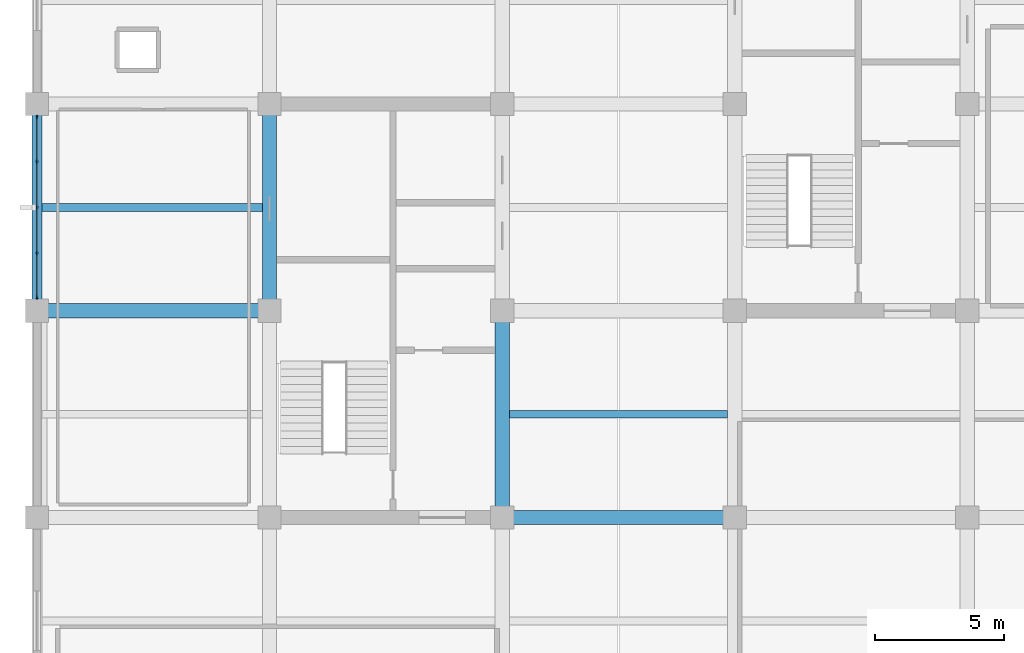
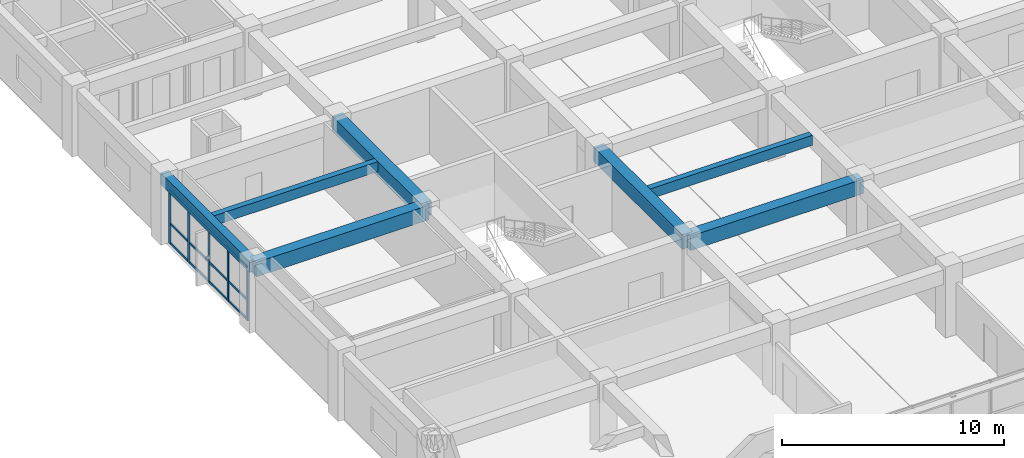
# One storey, part 4 of 16: 8 members, 7 beams, 1 element without a shape of its own.
"""IFC4 building model written with IfcOpenShell, lengths in metres."""

from ifc_helpers import new_model, si_unit, direction, frame, origin, origin_2d, place, context, subcontext, project, spatial, rectangle, extrude, material, material_profile, profile_set, type_object, element, aggregate, save


model = new_model("IFC4")

# Units and contexts
model_context = context("Model", 3, precision=1e-05, world=origin(), true_north=direction((0.0, 1.0)))
body_context = subcontext(model_context, "Body", "Model", "MODEL_VIEW")
ifc_project = project(units=[si_unit("LENGTHUNIT", "METRE"), si_unit("AREAUNIT", "SQUARE_METRE"), si_unit("VOLUMEUNIT", "CUBIC_METRE"), si_unit("PLANEANGLEUNIT", "RADIAN"), si_unit("MASSUNIT", "GRAM", prefix="KILO")], contexts=[model_context])

# Site, building, storey
site_placement = place(None, origin())
site = spatial("IfcSite", under=ifc_project, at=site_placement, CompositionType="ELEMENT")
building_placement = place(site_placement, origin())
building = spatial("IfcBuilding", under=site, at=building_placement, Name="Zaverband Oceanarium and Marine Research Institute", CompositionType="ELEMENT")
storey_placement = place(building_placement, frame((0.0, 0.0, 29.699951171875)))
storey = spatial("IfcBuildingStorey", under=building, at=storey_placement, Name="L07", CompositionType="ELEMENT", Elevation=29.699951171875)

# Beams
ifc_material_1 = material(Name="Concrete C40/50", Category="concrete")
ifc_material_profile_1 = material_profile(ifc_material_1, rectangle(XDim=0.550048828125, YDim=0.800048828125, at=origin_2d()), Name="RC550x800")
ifc_profile_set_1 = profile_set([ifc_material_profile_1], Name="Concrete C40/50")
beam_type_1 = type_object("IfcBeamType", Name="BM-550x800", PredefinedType="BEAM", material=ifc_profile_set_1)
for number, where, z_axis, x_axis, name in (
    (1, (27.0, 80.0, 3.25), (1.0, 0.0, 0.0), (0.0, 1.0, 0.0), "Primary floor girder BM-550x800"),
    (2, (9.0, 88.0, 3.25), (1.0, 0.0, 0.0), (0.0, 1.0, 0.0), "Primary floor girder BM-550x800"),
):
    element("IfcBeam", number, at=place(storey_placement, frame(where, z_axis=z_axis, x_axis=x_axis)), inside=storey, type_object=beam_type_1, Name=name, PredefinedType="BEAM", context=body_context, shape_type="SweptSolid", body=[
        extrude(rectangle(XDim=0.550048828125, YDim=0.800048828125, at=origin_2d()), origin(), (0.0, 0.0, 1.0), 9.0),
    ])
for number, where, z_axis, x_axis, name in (
    (3, (18.0, 88.0, 3.25), (0.0, 1.0, 0.0), (-1.0, 0.0, 0.0), "Primary floor girder BM-550x800"),
    (4, (27.0, 80.0, 3.25), (0.0, 1.0, 0.0), (-1.0, 0.0, 0.0), "Primary floor girder BM-550x800"),
):
    element("IfcBeam", number, at=place(storey_placement, frame(where, z_axis=z_axis, x_axis=x_axis)), inside=storey, type_object=beam_type_1, Name=name, PredefinedType="BEAM", context=body_context, shape_type="SweptSolid", body=[
        extrude(rectangle(XDim=0.550048828125, YDim=0.800048828125, at=origin_2d()), origin(), (0.0, 0.0, 1.0), 8.0),
    ])
ifc_material_profile_2 = material_profile(ifc_material_1, rectangle(XDim=0.300048828125, YDim=0.550048828125, at=origin_2d()), Name="RC300x550")
ifc_profile_set_2 = profile_set([ifc_material_profile_2], Name="Concrete C40/50")
beam_type_2 = type_object("IfcBeamType", Name="JST-300x550", PredefinedType="JOIST", material=ifc_profile_set_2)
beam_1_placement = place(storey_placement, frame((9.199951171875, 92.0, 3.375), z_axis=(1.0, 0.0, 0.0), x_axis=(0.0, 1.0, 0.0)))
element("IfcBeam", 5, at=beam_1_placement, inside=storey, type_object=beam_type_2, Name="Secondary floor joist JST-300x550", PredefinedType="JOIST", context=body_context, shape_type="SweptSolid", body=[
    extrude(rectangle(XDim=0.300048828125, YDim=0.550048828125, at=origin_2d()), origin(), (0.0, 0.0, 1.0), 8.525146484375),
])
beam_2_placement = place(storey_placement, frame((27.27490234375, 84.0, 3.375), z_axis=(1.0, 0.0, 0.0), x_axis=(0.0, 1.0, 0.0)))
element("IfcBeam", 6, at=beam_2_placement, inside=storey, type_object=beam_type_2, Name="Secondary floor joist JST-300x550", PredefinedType="JOIST", context=body_context, shape_type="SweptSolid", body=[
    extrude(rectangle(XDim=0.300048828125, YDim=0.550048828125, at=origin_2d()), origin(), (0.0, 0.0, 1.0), 8.4501953125),
])

# Curtain wall, members
ifc_material_2 = material(Name="Thermally broken anodized aluminium and solar-control glass", Category="aluminium")
curtain_wall_type = type_object("IfcCurtainWallType", Name="CW-UNIT-1800", PredefinedType="NOTDEFINED", material=ifc_material_2)
curtain_wall_placement = place(storey_placement, origin())
curtain_wall = element("IfcCurtainWall", 7, at=curtain_wall_placement, inside=storey, type_object=curtain_wall_type, Name="Unitised glazed curtain wall CW-092", PredefinedType="NOTDEFINED")
ifc_material_3 = material(Name="Thermally broken anodized aluminium", Category="aluminium")
ifc_material_profile_3 = material_profile(ifc_material_3, rectangle(XDim=0.070068359375, YDim=0.14990234375, at=origin_2d()), Name="AL-MUL-70x150")
ifc_profile_set_3 = profile_set([ifc_material_profile_3], Name="Thermally broken anodized aluminium")
member_type_1 = type_object("IfcMemberType", Name="MUL-70x150", PredefinedType="MULLION", material=ifc_profile_set_3)
member_1_placement = place(storey_placement, frame((9.0, 88.514892578125, 0.0), z_axis=(0.0, 0.0, 1.0), x_axis=(1.0, 0.0, 0.0)))
member_1 = element("IfcMember", 8, at=member_1_placement, type_object=member_type_1, Name="Curtain wall vertical mullion MUL-70x150", PredefinedType="MULLION", context=body_context, shape_type="SweptSolid", body=[
    extrude(rectangle(XDim=0.070068359375, YDim=0.14990234375, at=origin_2d()), origin(), (0.0, 0.0, 1.0), 2.97998046875),
])
member_2_placement = place(storey_placement, frame((9.0, 90.2275390625, 0.0), z_axis=(0.0, 0.0, 1.0), x_axis=(1.0, 0.0, 0.0)))
member_2 = element("IfcMember", 9, at=member_2_placement, type_object=member_type_1, Name="Curtain wall vertical mullion MUL-70x150", PredefinedType="MULLION", context=body_context, shape_type="SweptSolid", body=[
    extrude(rectangle(XDim=0.070068359375, YDim=0.14990234375, at=origin_2d()), origin(), (0.0, 0.0, 1.0), 2.97998046875),
])
member_3_placement = place(storey_placement, frame((9.0, 92.0, 0.0), z_axis=(0.0, 0.0, 1.0), x_axis=(1.0, 0.0, 0.0)))
member_3 = element("IfcMember", 10, at=member_3_placement, type_object=member_type_1, Name="Curtain wall vertical mullion MUL-70x150", PredefinedType="MULLION", context=body_context, shape_type="SweptSolid", body=[
    extrude(rectangle(XDim=0.070068359375, YDim=0.14990234375, at=origin_2d()), origin(), (0.0, 0.0, 1.0), 2.97998046875),
])
member_4_placement = place(storey_placement, frame((9.0, 93.7724609375, 0.0), z_axis=(0.0, 0.0, 1.0), x_axis=(1.0, 0.0, 0.0)))
member_4 = element("IfcMember", 11, at=member_4_placement, type_object=member_type_1, Name="Curtain wall vertical mullion MUL-70x150", PredefinedType="MULLION", context=body_context, shape_type="SweptSolid", body=[
    extrude(rectangle(XDim=0.070068359375, YDim=0.14990234375, at=origin_2d()), origin(), (0.0, 0.0, 1.0), 2.97998046875),
])
member_5_placement = place(storey_placement, frame((9.0, 95.485107421875, 0.0), z_axis=(0.0, 0.0, 1.0), x_axis=(1.0, 0.0, 0.0)))
member_5 = element("IfcMember", 12, at=member_5_placement, type_object=member_type_1, Name="Curtain wall vertical mullion MUL-70x150", PredefinedType="MULLION", context=body_context, shape_type="SweptSolid", body=[
    extrude(rectangle(XDim=0.070068359375, YDim=0.14990234375, at=origin_2d()), origin(), (0.0, 0.0, 1.0), 2.97998046875),
])

# Beam
ifc_material_profile_4 = material_profile(ifc_material_1, rectangle(XDim=0.39990234375, YDim=0.64990234375, at=origin_2d()), Name="RC400x650")
ifc_profile_set_4 = profile_set([ifc_material_profile_4], Name="Concrete C40/50")
beam_type_3 = type_object("IfcBeamType", Name="SPN-400x650", PredefinedType="SPANDREL", material=ifc_profile_set_4)
beam_3_placement = place(storey_placement, frame((9.0, 88.0, 3.324951171875), z_axis=(0.0, 1.0, 0.0), x_axis=(-1.0, 0.0, 0.0)))
element("IfcBeam", 13, at=beam_3_placement, inside=storey, type_object=beam_type_3, Name="Perimeter spandrel beam SPN-400x650", PredefinedType="SPANDREL", context=body_context, shape_type="SweptSolid", body=[
    extrude(rectangle(XDim=0.39990234375, YDim=0.64990234375, at=origin_2d()), origin(), (0.0, 0.0, 1.0), 8.0),
])

# Member
ifc_material_profile_5 = material_profile(ifc_material_3, rectangle(XDim=0.070068359375, YDim=0.114990234375, at=origin_2d()), Name="AL-TRN-70x115")
ifc_profile_set_5 = profile_set([ifc_material_profile_5], Name="Thermally broken anodized aluminium")
member_type_2 = type_object("IfcMemberType", Name="TRN-70x115", PredefinedType="USERDEFINED", material=ifc_profile_set_5)
member_6_placement = place(storey_placement, frame((9.0, 88.514892578125, 0.050048828125), z_axis=(0.0, 1.0, 0.0), x_axis=(-1.0, 0.0, 0.0)))
member_6 = element("IfcMember", 14, at=member_6_placement, type_object=member_type_2, Name="Curtain wall horizontal transom TRN-70x115", ObjectType="TRANSOM", PredefinedType="USERDEFINED", context=body_context, shape_type="SweptSolid", body=[
    extrude(rectangle(XDim=0.070068359375, YDim=0.114990234375, at=origin_2d()), origin(), (0.0, 0.0, 1.0), 6.97021484375),
])

member_7_placement = place(storey_placement, frame((9.0, 88.514892578125, 1.123046875), z_axis=(0.0, 1.0, 0.0), x_axis=(-1.0, 0.0, 0.0)))
member_7 = element("IfcMember", 15, at=member_7_placement, type_object=member_type_2, Name="Curtain wall horizontal transom TRN-70x115", ObjectType="TRANSOM", PredefinedType="USERDEFINED", context=body_context, shape_type="SweptSolid", body=[
    extrude(rectangle(XDim=0.070068359375, YDim=0.114990234375, at=origin_2d()), origin(), (0.0, 0.0, 1.0), 6.97021484375),
])

member_8_placement = place(storey_placement, frame((9.0, 88.514892578125, 2.929931640625), z_axis=(0.0, 1.0, 0.0), x_axis=(-1.0, 0.0, 0.0)))
member_8 = element("IfcMember", 16, at=member_8_placement, type_object=member_type_2, Name="Curtain wall horizontal transom TRN-70x115", ObjectType="TRANSOM", PredefinedType="USERDEFINED", context=body_context, shape_type="SweptSolid", body=[
    extrude(rectangle(XDim=0.070068359375, YDim=0.114990234375, at=origin_2d()), origin(), (0.0, 0.0, 1.0), 6.97021484375),
])

aggregate(curtain_wall, [member_1, member_2, member_3, member_4, member_5, member_6, member_7, member_8])

save(model, "model.ifc")
